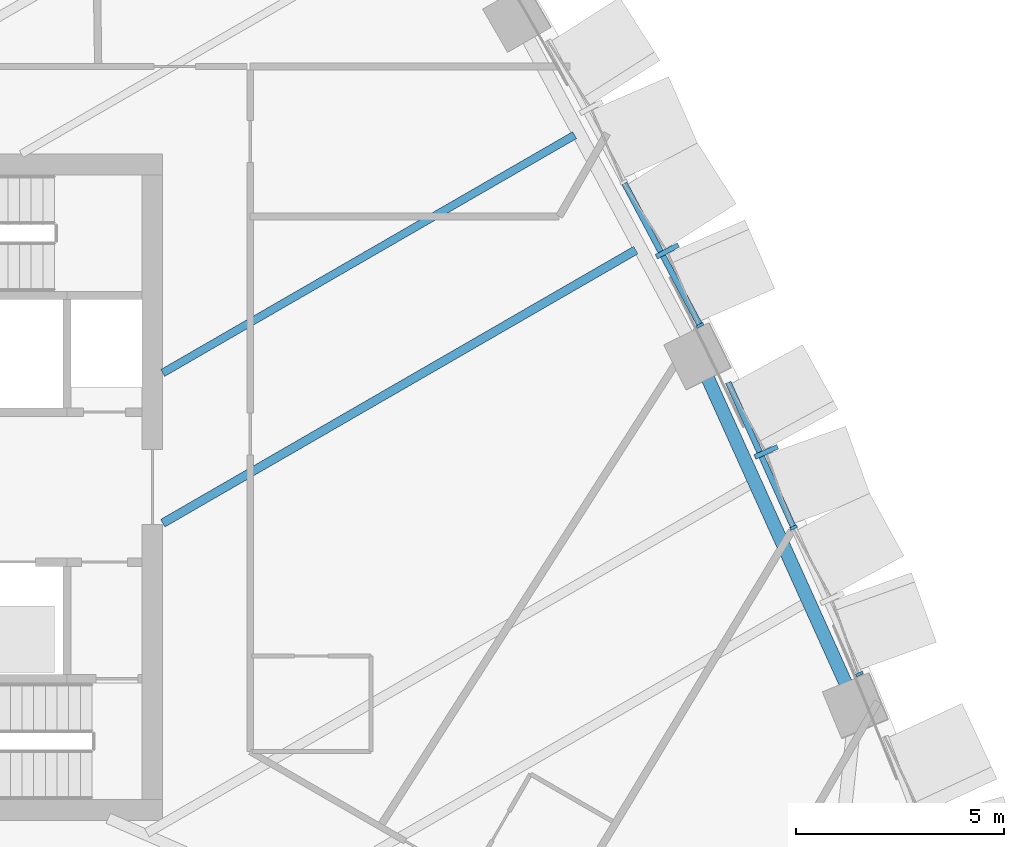
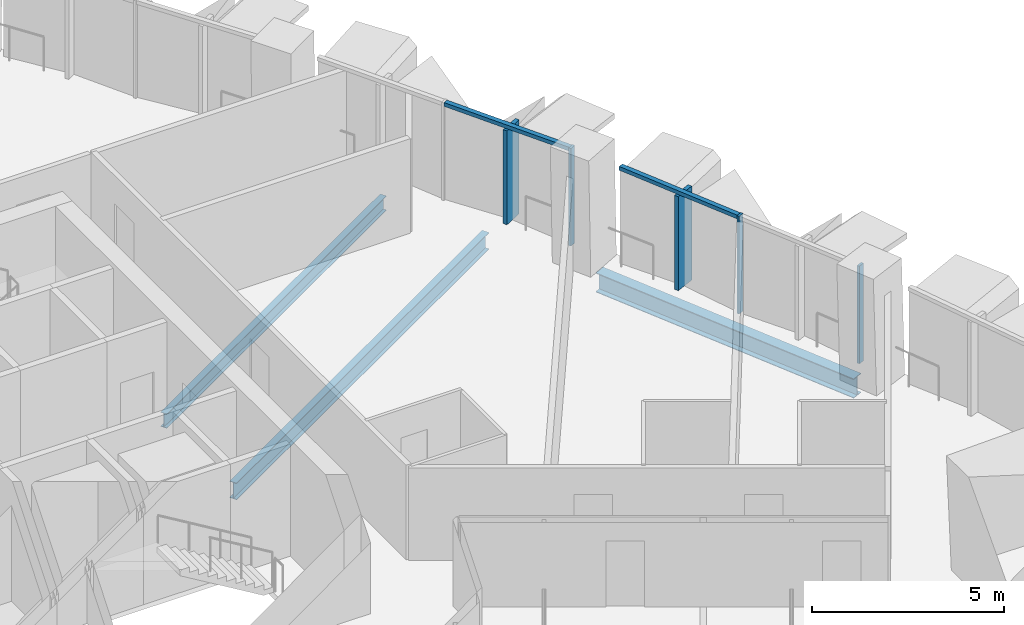
# One storey, part 5 of 23: 7 members, 3 beams, 2 elements without a shape of their own.
"""IFC4 building model written with IfcOpenShell, lengths in metres."""

from ifc_helpers import new_model, si_unit, direction, frame, origin, origin_2d, place, context, subcontext, project, spatial, rectangle, i_section, extrude, material, layer, layer_set, material_profile, profile_set, type_object, element, aggregate, save


model = new_model("IFC4")

# Units and contexts
model_context = context("Model", 3, precision=1e-05, world=origin(), true_north=direction((0.0, 1.0)))
body_context = subcontext(model_context, "Body", "Model", "MODEL_VIEW")
ifc_project = project(units=[si_unit("LENGTHUNIT", "METRE"), si_unit("AREAUNIT", "SQUARE_METRE"), si_unit("VOLUMEUNIT", "CUBIC_METRE"), si_unit("PLANEANGLEUNIT", "RADIAN"), si_unit("MASSUNIT", "GRAM", prefix="KILO")], contexts=[model_context])

# Site, building, storey
site_placement = place(None, origin())
site = spatial("IfcSite", under=ifc_project, at=site_placement, CompositionType="ELEMENT")
building_placement = place(site_placement, origin())
building = spatial("IfcBuilding", under=site, at=building_placement, Name="Sierra Prisma Convention Tower", CompositionType="ELEMENT")
storey_placement = place(building_placement, frame((0.0, 0.0, 70.199951171875)))
storey = spatial("IfcBuildingStorey", under=building, at=storey_placement, Name="L13", CompositionType="ELEMENT", Elevation=70.199951171875)

# Curtain wall, member
ifc_material_1 = material(Name="Aluminium and glass curtain wall", Category="aluminium")
ifc_layer = layer(ifc_material_1, 0.179931640625)
ifc_layer_set = layer_set([ifc_layer], Name="CW-2 Faceted crystal curtain wall")
curtain_wall_type = type_object("IfcCurtainWallType", Name="CW-2 Faceted crystal curtain wall", PredefinedType="NOTDEFINED", material=ifc_layer_set)
curtain_wall_1_placement = place(storey_placement, origin())
curtain_wall_1 = element("IfcCurtainWall", 1, at=curtain_wall_1_placement, inside=storey, type_object=curtain_wall_type, Name="CW-2 NE2 L13", PredefinedType="NOTDEFINED")
ifc_material_2 = material(Name="Aluminium 6063-T6 bronze anodised", Category="aluminium")
ifc_material_profile_1 = material_profile(ifc_material_2, rectangle(XDim=0.1201171875, YDim=0.60009765625, at=origin_2d()), Name="ALU RIDGE BLADE 120x600")
ifc_profile_set_1 = profile_set([ifc_material_profile_1], Name="Aluminium 6063-T6 bronze anodised")
member_type_1 = type_object("IfcMemberType", Name="CW hip bronze", PredefinedType="MULLION", material=ifc_profile_set_1)
member_1_placement = place(storey_placement, frame((25.49169921875, 0.847412109375, 0.0), z_axis=(0.0, 0.0, 1.0), x_axis=(-0.410184231176, 0.912002684478, 0.0)))
member_1 = element("IfcMember", 2, at=member_1_placement, type_object=member_type_1, Name="CW-2 ridge NE2.2", PredefinedType="MULLION", context=body_context, shape_type="SweptSolid", body=[
    extrude(rectangle(XDim=0.1201171875, YDim=0.60009765625, at=origin_2d()), origin(), (0.0, 0.0, 1.0), 2.97998046875),
])

curtain_wall_2_placement = place(storey_placement, origin())
curtain_wall_2 = element("IfcCurtainWall", 3, at=curtain_wall_2_placement, inside=storey, type_object=curtain_wall_type, Name="CW-2 NE3 L13", PredefinedType="NOTDEFINED")
member_2_placement = place(storey_placement, frame((23.117431640625, 5.674072265625, 0.0), z_axis=(0.0, 0.0, 1.0), x_axis=(-0.469903654338, 0.882717710052, 0.0)))
member_2 = element("IfcMember", 4, at=member_2_placement, type_object=member_type_1, Name="CW-2 ridge NE3.1", PredefinedType="MULLION", context=body_context, shape_type="SweptSolid", body=[
    extrude(rectangle(XDim=0.1201171875, YDim=0.60009765625, at=origin_2d()), origin(), (0.0, 0.0, 1.0), 2.97998046875),
])

# Member
ifc_material_3 = material(Name="Aluminium 6063-T6 bronze anodised", Category="aluminium")
ifc_material_profile_2 = material_profile(ifc_material_3, rectangle(XDim=0.179931640625, YDim=0.070068359375, at=origin_2d()), Name="ALU MULLION 70x180")
ifc_profile_set_2 = profile_set([ifc_material_profile_2], Name="Aluminium 6063-T6 bronze anodised")
member_type_2 = type_object("IfcMemberType", Name="CW mullion bronze", PredefinedType="MULLION", material=ifc_profile_set_2)
member_3_placement = place(storey_placement, frame((27.7275390625, -4.48681640625, 0.0), z_axis=(0.0, 0.0, 1.0), x_axis=(-0.912002684478, -0.410184231176, 0.0)))
member_3 = element("IfcMember", 5, at=member_3_placement, type_object=member_type_2, Name="CW-1 mullion NE2.1", PredefinedType="MULLION", context=body_context, shape_type="SweptSolid", body=[
    extrude(rectangle(XDim=0.179931640625, YDim=0.070068359375, at=origin_2d()), origin(), (0.0, 0.0, 1.0), 3.10009765625),
])

member_4_placement = place(storey_placement, frame((26.146484375, -0.971435546875, 0.0), z_axis=(0.0, 0.0, 1.0), x_axis=(-0.912002684478, -0.410184231176, 0.0)))
member_4 = element("IfcMember", 6, at=member_4_placement, type_object=member_type_2, Name="CW-1 mullion NE2.2", PredefinedType="MULLION", context=body_context, shape_type="SweptSolid", body=[
    extrude(rectangle(XDim=0.179931640625, YDim=0.070068359375, at=origin_2d()), origin(), (0.0, 0.0, 1.0), 3.10009765625),
])

member_5_placement = place(storey_placement, frame((23.900390625, 3.8828125, 0.0), z_axis=(0.0, 0.0, 1.0), x_axis=(-0.882717710052, -0.469903654338, 0.0)))
member_5 = element("IfcMember", 7, at=member_5_placement, type_object=member_type_2, Name="CW-1 mullion NE3.1", PredefinedType="MULLION", context=body_context, shape_type="SweptSolid", body=[
    extrude(rectangle(XDim=0.179931640625, YDim=0.070068359375, at=origin_2d()), origin(), (0.0, 0.0, 1.0), 3.10009765625),
])

ifc_material_4 = material(Name="Aluminium 6063-T6 bronze anodised", Category="aluminium")
ifc_material_profile_3 = material_profile(ifc_material_4, rectangle(XDim=0.139892578125, YDim=0.1201171875, at=origin_2d()), Name="ALU TRANSOM 120x140")
ifc_profile_set_3 = profile_set([ifc_material_profile_3], Name="Aluminium 6063-T6 bronze anodised")
member_type_3 = type_object("IfcMemberType", Name="CW transom bronze", PredefinedType="USERDEFINED", material=ifc_profile_set_3)
member_6_placement = place(storey_placement, frame((26.132080078125, -0.939453125, 3.0400390625), z_axis=(-0.410222507748, 0.911985468161, 0.0), x_axis=(-0.911985468161, -0.410222507748, 0.0)))
member_6 = element("IfcMember", 8, at=member_6_placement, type_object=member_type_3, Name="CW-1 transom NE2.2", ObjectType="TRANSOM", PredefinedType="USERDEFINED", context=body_context, shape_type="SweptSolid", body=[
    extrude(rectangle(XDim=0.139892578125, YDim=0.1201171875, at=origin_2d()), origin(), (0.0, 0.0, 1.0), 3.784423828125),
])

aggregate(curtain_wall_1, [member_3, member_4, member_6, member_1])

member_7_placement = place(storey_placement, frame((23.884033203125, 3.91357421875, 3.0400390625), z_axis=(-0.469873126716, 0.88273396037, 0.0), x_axis=(-0.88273396037, -0.469873126716, 0.0)))
member_7 = element("IfcMember", 9, at=member_7_placement, type_object=member_type_3, Name="CW-1 transom NE3.1", ObjectType="TRANSOM", PredefinedType="USERDEFINED", context=body_context, shape_type="SweptSolid", body=[
    extrude(rectangle(XDim=0.139892578125, YDim=0.1201171875, at=origin_2d()), origin(), (0.0, 0.0, 1.0), 3.828369140625),
])

aggregate(curtain_wall_2, [member_5, member_7, member_2])

# Beams
ifc_material_5 = material(Name="Steel ASTM A992 Gr 50", Category="steel")
ifc_material_profile_4 = material_profile(ifc_material_5, i_section(OverallWidth=0.18994140625, OverallDepth=0.45703125, WebThickness=0.009033203125, FlangeThickness=0.014404296875, at=origin_2d()), Name="W460x74")
ifc_profile_set_4 = profile_set([ifc_material_profile_4], Name="Steel ASTM A992 Gr 50")
beam_type_1 = type_object("IfcBeamType", Name="Floor joist W460x74", PredefinedType="JOIST", material=ifc_profile_set_4)
beam_1_placement = place(storey_placement, frame((20.886962890625, 8.45068359375, -0.37841796875), z_axis=(-0.866024976451, -0.500000740163, 0.0), x_axis=(0.500000740163, -0.866024976451, 0.0)))
element("IfcBeam", 10, at=beam_1_placement, inside=storey, type_object=beam_type_1, Name="Floor joist L13 NE08", PredefinedType="JOIST", context=body_context, shape_type="SweptSolid", body=[
    extrude(i_section(OverallWidth=0.18994140625, OverallDepth=0.45703125, WebThickness=0.009033203125, FlangeThickness=0.014404296875, at=origin_2d()), origin(), (0.0, 0.0, 1.0), 11.41650390625),
])
ifc_material_6 = material(Name="Steel ASTM A992 Gr 50", Category="steel")
ifc_material_profile_5 = material_profile(ifc_material_6, i_section(OverallWidth=0.208984375, OverallDepth=0.532958984375, WebThickness=0.01025390625, FlangeThickness=0.015625, at=origin_2d()), Name="W530x92")
ifc_profile_set_5 = profile_set([ifc_material_profile_5], Name="Steel ASTM A992 Gr 50")
beam_type_2 = type_object("IfcBeamType", Name="Floor joist W530x92", PredefinedType="JOIST", material=ifc_profile_set_5)
beam_2_placement = place(storey_placement, frame((22.360107421875, 5.692626953125, -0.41650390625), z_axis=(-0.866030927308, -0.499990432855, 0.0), x_axis=(0.499990432855, -0.866030927308, 0.0)))
element("IfcBeam", 11, at=beam_2_placement, inside=storey, type_object=beam_type_2, Name="Floor joist L13 NE07", PredefinedType="JOIST", context=body_context, shape_type="SweptSolid", body=[
    extrude(i_section(OverallWidth=0.208984375, OverallDepth=0.532958984375, WebThickness=0.01025390625, FlangeThickness=0.015625, at=origin_2d()), origin(), (0.0, 0.0, 1.0), 13.117431640625),
])
ifc_material_7 = material(Name="Steel ASTM A992 Gr 50", Category="steel")
ifc_material_profile_6 = material_profile(ifc_material_7, i_section(OverallWidth=0.324951171875, OverallDepth=0.615966796875, WebThickness=0.013916015625, FlangeThickness=0.021484375, at=origin_2d()), Name="W610x174")
ifc_profile_set_6 = profile_set([ifc_material_profile_6], Name="Steel ASTM A992 Gr 50")
beam_type_3 = type_object("IfcBeamType", Name="Spandrel beam W610x174", PredefinedType="BEAM", material=ifc_profile_set_6)
beam_3_placement = place(storey_placement, frame((27.446533203125, -4.817626953125, -0.4580078125), z_axis=(-0.411753198673, 0.91129539853, 0.0), x_axis=(-0.91129539853, -0.411753198673, 0.0)))
element("IfcBeam", 12, at=beam_3_placement, inside=storey, type_object=beam_type_3, Name="Spandrel L13-08", PredefinedType="BEAM", context=body_context, shape_type="SweptSolid", body=[
    extrude(i_section(OverallWidth=0.324951171875, OverallDepth=0.615966796875, WebThickness=0.013916015625, FlangeThickness=0.021484375, at=origin_2d()), origin(), (0.0, 0.0, 1.0), 8.251220703125),
])

save(model, "model.ifc")
